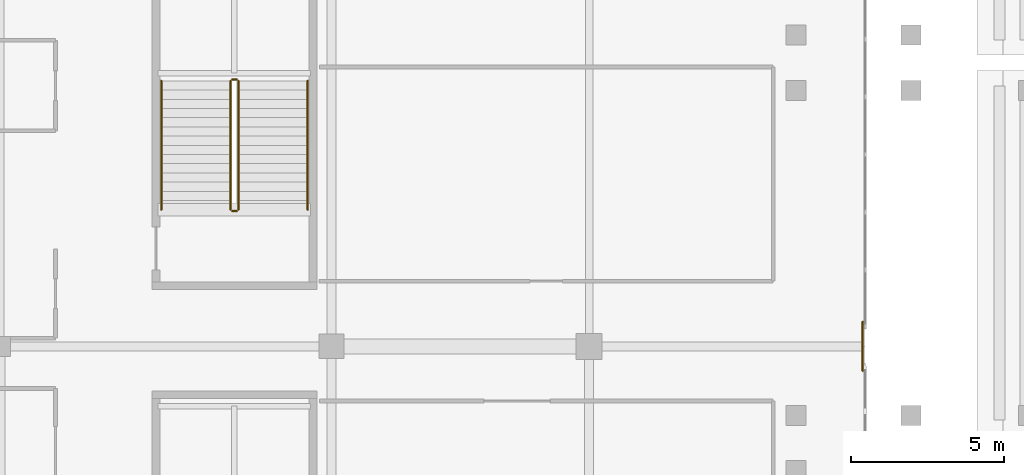
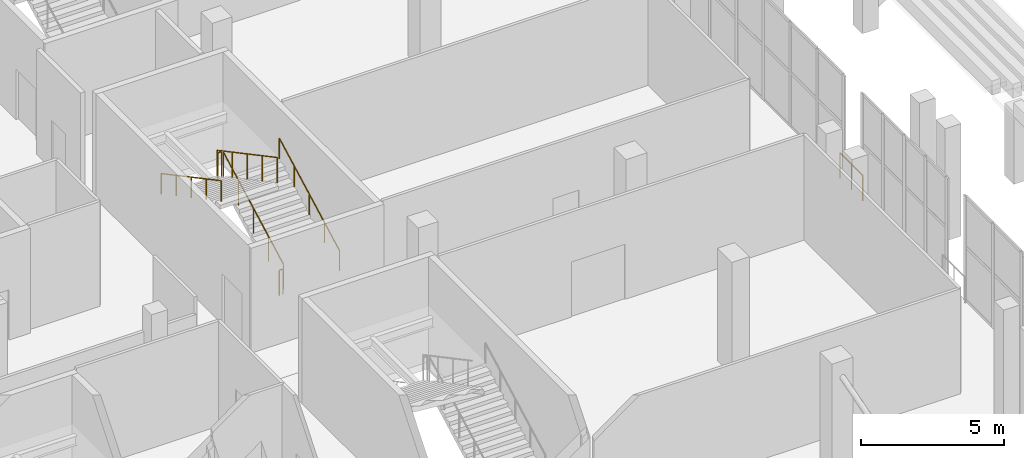
# One storey, part 116 of 142: 8 railings.
"""IFC4 building model written with IfcOpenShell, lengths in metres."""

import ifcopenshell
import ifcopenshell.guid

model = None  # the IFC model being written
_history = None  # IfcOwnerHistory: only IFC2X3 demands one
_inside = {}  # id of a spatial element -> (the spatial element, [elements in it])
_under = {}  # id of a project, library or spatial element -> (it, [spatial elements below it])
_declared = {}  # id of a project -> (the project, [libraries it declares])
_typed = {}  # id of a type object -> (the type object, [elements of that type])
_made_of = {}  # id of a material, layer set ... -> (it, [elements and type objects made of it])


def new_model(schema):
    """Start an empty IFC model of exactly this schema.

    Asked for "IFC4X3", IfcOpenShell would pick the latest addendum, in which some entities
    have other attributes; the version numbers below select the first issue.
    IFC2X3 requires an IfcOwnerHistory on every rooted entity: one is made here for all.
    """
    global model, _history
    if schema == "IFC4X3":
        model = ifcopenshell.file(schema_version=(4, 3, 0, 0))
    else:
        model = ifcopenshell.file(schema=schema)
    _inside.clear()
    _under.clear()
    _declared.clear()
    _typed.clear()
    _made_of.clear()
    _history = None
    if model.schema == "IFC2X3":
        org = make("IfcOrganization", Name="unknown")
        user = make(
            "IfcPersonAndOrganization",
            ThePerson=make("IfcPerson", FamilyName="unknown"),
            TheOrganization=org,
        )
        app = make(
            "IfcApplication",
            ApplicationDeveloper=org,
            Version="unknown",
            ApplicationFullName="unknown",
            ApplicationIdentifier="unknown",
        )
        _history = make(
            "IfcOwnerHistory",
            OwningUser=user,
            OwningApplication=app,
            ChangeAction="ADDED",
            CreationDate=0,
        )
    return model


def make(cls, **values):
    """One entity of the class cls with the attributes given. An attribute that is None is left unset."""
    return model.create_entity(
        cls, **{name: value for name, value in values.items() if value is not None}
    )


def rooted(cls, **values):
    """An entity with a GlobalId (a new one), such as an element, a storey or a relation."""
    return make(cls, GlobalId=ifcopenshell.guid.new(), OwnerHistory=_history, **values)


def si_unit(unit_type, name, prefix=None):
    """IfcSIUnit, for example si_unit("LENGTHUNIT", "METRE", prefix="MILLI")."""
    return make("IfcSIUnit", UnitType=unit_type, Prefix=prefix, Name=name)


def assignment(units):
    """IfcUnitAssignment: the units of a project."""
    return None if units is None else make("IfcUnitAssignment", Units=units)


def point(xyz):
    """IfcCartesianPoint."""
    return None if xyz is None else make("IfcCartesianPoint", Coordinates=xyz)


def direction(xyz):
    """IfcDirection."""
    return None if xyz is None else make("IfcDirection", DirectionRatios=xyz)


def frame(location, z_axis=None, x_axis=None):
    """IfcAxis2Placement3D, a coordinate frame: its origin and axes. An axis left out is left unset."""
    return make(
        "IfcAxis2Placement3D",
        Location=point(location),
        Axis=direction(z_axis),
        RefDirection=direction(x_axis),
    )


def frame_2d(location, x_axis=None):
    """IfcAxis2Placement2D, a coordinate frame in the plane: its origin and x axis."""
    return make(
        "IfcAxis2Placement2D", Location=point(location), RefDirection=direction(x_axis)
    )


def origin():
    """The frame at (0, 0, 0) with its axes left unset."""
    return frame((0.0, 0.0, 0.0))


def origin_2d():
    """The frame at (0, 0) in the plane with its x axis left unset."""
    return frame_2d((0.0, 0.0))


def place(relative_to, where):
    """IfcLocalPlacement: puts the frame where relative to a parent placement (None: the world)."""
    return make(
        "IfcLocalPlacement", PlacementRelTo=relative_to, RelativePlacement=where
    )


def context(
    kind, dimensions, precision=None, world=None, true_north=None, identifier=None
):
    """IfcGeometricRepresentationContext, for example the 3D "Model" context."""
    return make(
        "IfcGeometricRepresentationContext",
        ContextIdentifier=identifier,
        ContextType=kind,
        CoordinateSpaceDimension=dimensions,
        Precision=precision,
        WorldCoordinateSystem=world,
        TrueNorth=true_north,
    )


def subcontext(parent, identifier, kind, view, scale=None):
    """IfcGeometricRepresentationSubContext, for example "Body" below "Model"."""
    return make(
        "IfcGeometricRepresentationSubContext",
        ContextIdentifier=identifier,
        ContextType=kind,
        ParentContext=parent,
        TargetScale=scale,
        TargetView=view,
    )


def project(units=None, contexts=None):
    """IfcProject with its units and contexts."""
    return rooted(
        "IfcProject",
        Name="project",
        RepresentationContexts=contexts,
        UnitsInContext=assignment(units),
    )


def spatial(cls, under=None, at=None, **own):
    """A site, building, storey or space (cls), placed at a placement, below another one or the project."""
    s = rooted(cls, ObjectPlacement=at, **own)
    if under is not None:
        _under.setdefault(under.id(), (under, []))[1].append(s)
    return s


def profile(cls, at=None, kind="AREA", **sizes):
    """A parametric profile (cls). Its sizes go by their IFC names, for example OverallWidth=200.0."""
    return make(cls, ProfileType=kind, Position=at, **sizes)


def circle(**sizes):
    """IfcCircleProfileDef."""
    return profile("IfcCircleProfileDef", **sizes)


def extrude(swept, where, along, depth):
    """IfcExtrudedAreaSolid: the profile swept, set in the frame where, extruded along a direction by depth."""
    return make(
        "IfcExtrudedAreaSolid",
        SweptArea=swept,
        Position=where,
        ExtrudedDirection=direction(along),
        Depth=depth,
    )


def shape(context_of_items, identifier, shape_type, items):
    """IfcShapeRepresentation: the items that make up one representation, for example the "Body"."""
    return make(
        "IfcShapeRepresentation",
        ContextOfItems=context_of_items,
        RepresentationIdentifier=identifier,
        RepresentationType=shape_type,
        Items=items,
    )


def material(Name=None, Category=None):
    """IfcMaterial."""
    return make("IfcMaterial", Name=Name, Category=Category)


def made_of(thing, what):
    """Note that an element or type object is made of a material, layer set ...; save() writes the relation."""
    if what is not None:
        _made_of.setdefault(what.id(), (what, []))[1].append(thing)
    return thing


def type_object(cls, material=None, **own):
    """A type object (cls), such as IfcWallType, which elements share."""
    return made_of(rooted(cls, **own), material)


def element(
    cls,
    number,
    at=None,
    inside=None,
    cuts=None,
    type_object=None,
    material=None,
    context=None,
    identifier="Body",
    shape_type=None,
    held_by="IfcProductDefinitionShape",
    body=None,
    shapes=None,
    **own,
):
    """One element of the class cls, such as IfcWall. Its Tag is "e" and its number.

    at: its placement. inside: the storey or other place that contains it. cuts: it is an
    opening in that element (IfcRelVoidsElement). A single representation is given by context,
    identifier, shape_type and body (its items); several are given by shapes. held_by: the class
    of the entity that holds the representations. save() writes the other relations.
    """
    e = rooted(cls, Tag="e%d" % number, ObjectPlacement=at, **own)
    if body is not None:
        shapes = [shape(context, identifier, shape_type, body)]
    if shapes is not None:
        e.Representation = make(held_by, Representations=shapes)
    if inside is not None:
        _inside.setdefault(inside.id(), (inside, []))[1].append(e)
    if cuts is not None:
        rooted(
            "IfcRelVoidsElement", RelatingBuildingElement=cuts, RelatedOpeningElement=e
        )
    if type_object is not None:
        _typed.setdefault(type_object.id(), (type_object, []))[1].append(e)
    return made_of(e, material)


def aggregate(whole, parts):
    """IfcRelAggregates: a whole, such as a stair, and the parts it consists of."""
    return rooted("IfcRelAggregates", RelatingObject=whole, RelatedObjects=parts)


def save(model, path):
    """Write the relations noted so far, then the file.

    IfcRelAggregates (storeys below a building ...), IfcRelContainedInSpatialStructure (elements
    in a storey), IfcRelDefinesByType, IfcRelAssociatesMaterial and IfcRelDeclares: one each for
    every whole, place, type object, material and project.
    """
    for whole, parts in _under.values():
        aggregate(whole, parts)
    for where, things in _inside.values():
        rooted(
            "IfcRelContainedInSpatialStructure",
            RelatedElements=things,
            RelatingStructure=where,
        )
    for kind, things in _typed.values():
        rooted("IfcRelDefinesByType", RelatedObjects=things, RelatingType=kind)
    for what, things in _made_of.values():
        rooted("IfcRelAssociatesMaterial", RelatedObjects=things, RelatingMaterial=what)
    for by, libraries in _declared.values():
        rooted("IfcRelDeclares", RelatingContext=by, RelatedDefinitions=libraries)
    model.write(path)


model = new_model("IFC4")

# Units and contexts
model_context = context("Model", 3, precision=1e-05, world=origin(), true_north=direction((0.0, 1.0)))
body_context = subcontext(model_context, "Body", "Model", "MODEL_VIEW")
ifc_project = project(units=[si_unit("LENGTHUNIT", "METRE"), si_unit("AREAUNIT", "SQUARE_METRE"), si_unit("VOLUMEUNIT", "CUBIC_METRE"), si_unit("PLANEANGLEUNIT", "RADIAN"), si_unit("MASSUNIT", "GRAM", prefix="KILO")], contexts=[model_context])

# Site, building, storey
site_placement = place(None, origin())
site = spatial("IfcSite", under=ifc_project, at=site_placement, CompositionType="ELEMENT")
building_placement = place(site_placement, origin())
building = spatial("IfcBuilding", under=site, at=building_placement, Name="Koshinbarg Plaza Stadium", CompositionType="ELEMENT")
storey_placement = place(building_placement, frame((0.0, 0.0, 10.199951171875)))
storey = spatial("IfcBuildingStorey", under=building, at=storey_placement, Name="L02", CompositionType="ELEMENT", Elevation=10.199951171875)

# Railings
ifc_material_1 = material(Name="Toughened laminated glass and stainless steel sightline balustrade", Category="steel")
railing_type_1 = type_object("IfcRailingType", Name="RL-BOWL-1100", PredefinedType="BALUSTRADE", material=ifc_material_1)
railing_1_placement = place(storey_placement, frame((63.52001953125, 54.300048828125, 0.0)))
element("IfcRailing", 1, at=railing_1_placement, inside=storey, type_object=railing_type_1, Name="L02 deck edge safety balustrade 0113", PredefinedType="BALUSTRADE", context=body_context, shape_type="SweptSolid", body=[
    extrude(circle(Radius=0.02392578125, at=origin_2d()), frame((0.0, 0.0, 1.076171875), z_axis=(0.0, -1.0, 0.0), x_axis=(1.0, 0.0, 0.0)), (0.0, 0.0, 1.0), 0.797119140625),
    extrude(circle(Radius=0.02099609375, at=origin_2d()), origin(), (0.0, 0.0, 1.0), 1.052001953125),
    extrude(circle(Radius=0.02099609375, at=origin_2d()), frame((0.0, -0.797119140625, 0.0)), (0.0, 0.0, 1.0), 1.052001953125),
])
railing_2_placement = place(storey_placement, frame((63.52001953125, 55.10009765625, 0.0)))
element("IfcRailing", 2, at=railing_2_placement, inside=storey, type_object=railing_type_1, Name="L02 deck edge safety balustrade 0121", PredefinedType="BALUSTRADE", context=body_context, shape_type="SweptSolid", body=[
    extrude(circle(Radius=0.02392578125, at=origin_2d()), frame((0.0, 0.0, 1.076171875), z_axis=(0.0, -1.0, 0.0), x_axis=(1.0, 0.0, 0.0)), (0.0, 0.0, 1.0), 0.800048828125),
    extrude(circle(Radius=0.02099609375, at=origin_2d()), origin(), (0.0, 0.0, 1.0), 1.052001953125),
    extrude(circle(Radius=0.02099609375, at=origin_2d()), frame((0.0, -0.800048828125, 0.0)), (0.0, 0.0, 1.0), 1.052001953125),
])
ifc_material_2 = material(Name="Galvanized painted steel guardrail", Category="steel")
railing_type_2 = type_object("IfcRailingType", Name="RL-GUARD-1100", PredefinedType="GUARDRAIL", material=ifc_material_2)
railing_3_placement = place(storey_placement, frame((43.159912109375, 58.760009765625, 0.16015625)))
element("IfcRailing", 3, at=railing_3_placement, inside=storey, type_object=railing_type_2, Name="L02 VX03 stair guard 1", PredefinedType="GUARDRAIL", context=body_context, shape_type="SweptSolid", body=[
    extrude(circle(Radius=0.02392578125, at=origin_2d()), frame((0.0, 0.0, 1.076171875), z_axis=(0.0, 0.882351521365, 0.470590897432), x_axis=(-1.0, 0.0, 0.0)), (0.0, 0.0, 1.0), 4.760009765625),
    extrude(circle(Radius=0.02099609375, at=origin_2d()), origin(), (0.0, 0.0, 1.0), 1.052001953125),
    extrude(circle(Radius=0.02099609375, at=origin_2d()), frame((0.0, 1.050048828125, 0.56005859375)), (0.0, 0.0, 1.0), 1.052001953125),
    extrude(circle(Radius=0.02099609375, at=origin_2d()), frame((0.0, 2.10009765625, 1.1201171875)), (0.0, 0.0, 1.0), 1.052001953125),
    extrude(circle(Radius=0.02099609375, at=origin_2d()), frame((0.0, 3.14990234375, 1.679931640625)), (0.0, 0.0, 1.0), 1.052001953125),
    extrude(circle(Radius=0.02099609375, at=origin_2d()), frame((0.0, 4.199951171875, 2.239990234375)), (0.0, 0.0, 1.0), 1.052001953125),
])
railing_4_placement = place(storey_placement, frame((43.110107421875, 63.010009765625, 2.400146484375)))
element("IfcRailing", 4, at=railing_4_placement, inside=storey, type_object=railing_type_2, Name="L02 VX03 stair guard 2", PredefinedType="GUARDRAIL", context=body_context, shape_type="SweptSolid", body=[
    extrude(circle(Radius=0.02392578125, at=origin_2d()), frame((0.0, 0.0, 1.076171875), z_axis=(-1.0, 0.0, 0.0), x_axis=(0.0, -1.0, 0.0)), (0.0, 0.0, 1.0), 0.150146484375),
    extrude(circle(Radius=0.02099609375, at=origin_2d()), origin(), (0.0, 0.0, 1.0), 1.052001953125),
    extrude(circle(Radius=0.02099609375, at=origin_2d()), frame((-0.150146484375, 0.0, 0.0)), (0.0, 0.0, 1.0), 1.052001953125),
])
railing_5_placement = place(storey_placement, frame((42.909912109375, 62.9599609375, 2.56005859375)))
element("IfcRailing", 5, at=railing_5_placement, inside=storey, type_object=railing_type_2, Name="L02 VX03 stair guard 3", PredefinedType="GUARDRAIL", context=body_context, shape_type="SweptSolid", body=[
    extrude(circle(Radius=0.02392578125, at=origin_2d()), frame((0.0, 0.0, 1.076171875), z_axis=(0.0, -0.882351521365, 0.470590897432), x_axis=(1.0, 0.0, 0.0)), (0.0, 0.0, 1.0), 4.760009765625),
    extrude(circle(Radius=0.02099609375, at=origin_2d()), origin(), (0.0, 0.0, 1.0), 1.052001953125),
    extrude(circle(Radius=0.02099609375, at=origin_2d()), frame((0.0, -1.050048828125, 0.56005859375)), (0.0, 0.0, 1.0), 1.052001953125),
    extrude(circle(Radius=0.02099609375, at=origin_2d()), frame((0.0, -2.10009765625, 1.1201171875)), (0.0, 0.0, 1.0), 1.052001953125),
    extrude(circle(Radius=0.02099609375, at=origin_2d()), frame((0.0, -3.14990234375, 1.679931640625)), (0.0, 0.0, 1.0), 1.052001953125),
    extrude(circle(Radius=0.02099609375, at=origin_2d()), frame((0.0, -4.199951171875, 2.239990234375)), (0.0, 0.0, 1.0), 1.052001953125),
])
railing_6_placement = place(storey_placement, frame((43.110107421875, 58.7099609375, 0.0)))
element("IfcRailing", 6, at=railing_6_placement, inside=storey, type_object=railing_type_2, Name="L02 VX03 stair guard 4", PredefinedType="GUARDRAIL", context=body_context, shape_type="SweptSolid", body=[
    extrude(circle(Radius=0.02392578125, at=origin_2d()), frame((0.0, 0.0, 1.076171875), z_axis=(-1.0, 0.0, 0.0), x_axis=(0.0, -1.0, 0.0)), (0.0, 0.0, 1.0), 0.150146484375),
    extrude(circle(Radius=0.02099609375, at=origin_2d()), origin(), (0.0, 0.0, 1.0), 1.052001953125),
    extrude(circle(Radius=0.02099609375, at=origin_2d()), frame((-0.150146484375, 0.0, 0.0)), (0.0, 0.0, 1.0), 1.052001953125),
])
ifc_material_3 = material(Name="Brushed stainless steel handrail", Category="steel")
railing_type_3 = type_object("IfcRailingType", Name="RL-HAND-900", PredefinedType="HANDRAIL", material=ifc_material_3)
railing_7_placement = place(storey_placement, frame((45.419921875, 58.760009765625, 0.16015625)))
element("IfcRailing", 7, at=railing_7_placement, inside=storey, type_object=railing_type_3, Name="L02 VX03 stair handrail 1", PredefinedType="HANDRAIL", context=body_context, shape_type="SweptSolid", body=[
    extrude(circle(Radius=0.02392578125, at=origin_2d()), frame((0.0, 0.0, 0.8759765625), z_axis=(0.0, 0.882351521365, 0.470590897432), x_axis=(-1.0, 0.0, 0.0)), (0.0, 0.0, 1.0), 4.760009765625),
    extrude(circle(Radius=0.02099609375, at=origin_2d()), origin(), (0.0, 0.0, 1.0), 0.851806640625),
    extrude(circle(Radius=0.02099609375, at=origin_2d()), frame((0.0, 1.050048828125, 0.56005859375)), (0.0, 0.0, 1.0), 0.851806640625),
    extrude(circle(Radius=0.02099609375, at=origin_2d()), frame((0.0, 2.10009765625, 1.1201171875)), (0.0, 0.0, 1.0), 0.851806640625),
    extrude(circle(Radius=0.02099609375, at=origin_2d()), frame((0.0, 3.14990234375, 1.679931640625)), (0.0, 0.0, 1.0), 0.851806640625),
    extrude(circle(Radius=0.02099609375, at=origin_2d()), frame((0.0, 4.199951171875, 2.239990234375)), (0.0, 0.0, 1.0), 0.851806640625),
])
railing_8_placement = place(storey_placement, frame((40.64990234375, 62.9599609375, 2.56005859375)))
element("IfcRailing", 8, at=railing_8_placement, inside=storey, type_object=railing_type_3, Name="L02 VX03 stair handrail 2", PredefinedType="HANDRAIL", context=body_context, shape_type="SweptSolid", body=[
    extrude(circle(Radius=0.02392578125, at=origin_2d()), frame((0.0, 0.0, 0.8759765625), z_axis=(0.0, -0.882351521365, 0.470590897432), x_axis=(1.0, 0.0, 0.0)), (0.0, 0.0, 1.0), 4.760009765625),
    extrude(circle(Radius=0.02099609375, at=origin_2d()), origin(), (0.0, 0.0, 1.0), 0.851806640625),
    extrude(circle(Radius=0.02099609375, at=origin_2d()), frame((0.0, -1.050048828125, 0.56005859375)), (0.0, 0.0, 1.0), 0.851806640625),
    extrude(circle(Radius=0.02099609375, at=origin_2d()), frame((0.0, -2.10009765625, 1.1201171875)), (0.0, 0.0, 1.0), 0.851806640625),
    extrude(circle(Radius=0.02099609375, at=origin_2d()), frame((0.0, -3.14990234375, 1.679931640625)), (0.0, 0.0, 1.0), 0.851806640625),
    extrude(circle(Radius=0.02099609375, at=origin_2d()), frame((0.0, -4.199951171875, 2.239990234375)), (0.0, 0.0, 1.0), 0.851806640625),
])

save(model, "model.ifc")
